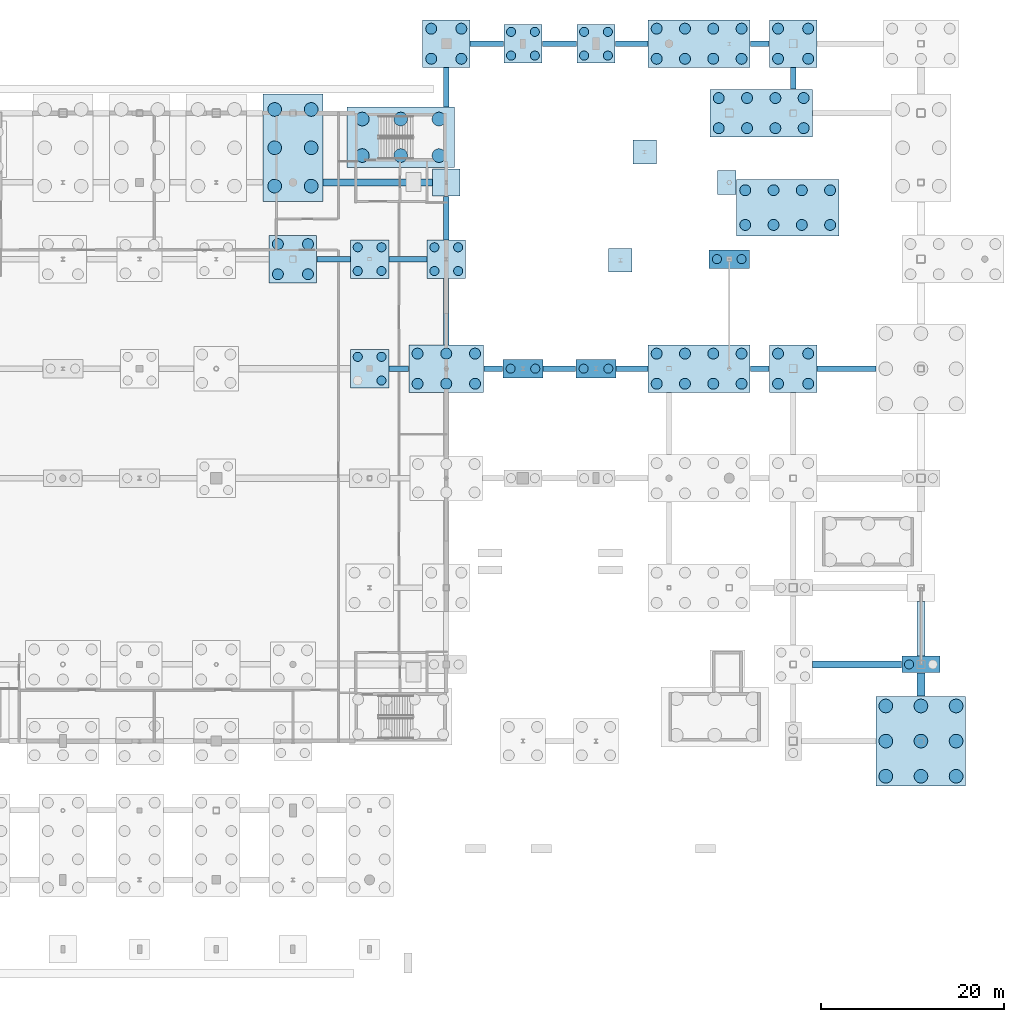
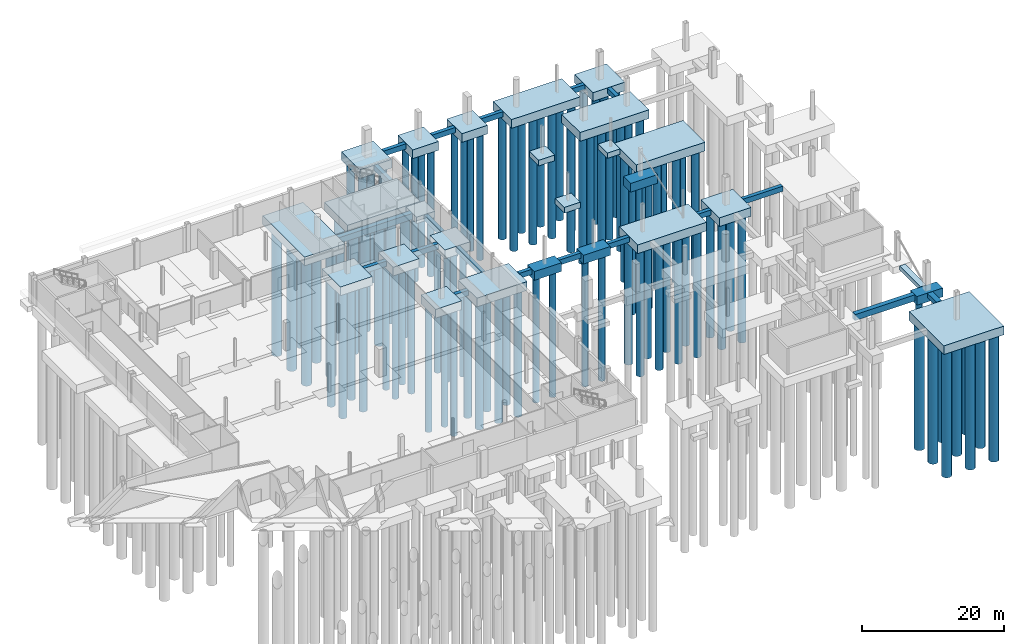
# One storey, part 4 of 34: 101 piles, 45 footings.
"""IFC4 building model written with IfcOpenShell, lengths in metres."""

from ifc_helpers import new_model, si_unit, direction, frame, origin, origin_2d, place, context, subcontext, project, spatial, rectangle, circle, extrude, material, material_profile, profile_set, type_object, element, save


model = new_model("IFC4")

# Units and contexts
model_context = context("Model", 3, precision=1e-05, world=origin(), true_north=direction((0.0, 1.0)))
body_context = subcontext(model_context, "Body", "Model", "MODEL_VIEW")
ifc_project = project(units=[si_unit("LENGTHUNIT", "METRE"), si_unit("AREAUNIT", "SQUARE_METRE"), si_unit("VOLUMEUNIT", "CUBIC_METRE"), si_unit("PLANEANGLEUNIT", "RADIAN"), si_unit("MASSUNIT", "GRAM", prefix="KILO")], contexts=[model_context])

# Site, building, storey
site_placement = place(None, origin())
site = spatial("IfcSite", under=ifc_project, at=site_placement, CompositionType="ELEMENT")
building_placement = place(site_placement, origin())
building = spatial("IfcBuilding", under=site, at=building_placement, Name="Larkvane Passage Sports Hall", CompositionType="ELEMENT")
storey_placement = place(building_placement, frame((0.0, 0.0, -4.800048828125)))
storey = spatial("IfcBuildingStorey", under=building, at=storey_placement, Name="B01", CompositionType="ELEMENT", Elevation=-4.800048828125)

# Footings
ifc_material = material(Name="Concrete C40/50", Category="concrete")
footing_type_1 = type_object("IfcFootingType", Name="CAP-2P-320x180", PredefinedType="PILE_CAP", material=ifc_material)
footing_1_placement = place(storey_placement, frame((145.60009765625, 31.199951171875, -1.5), z_axis=(0.0, 0.0, 1.0), x_axis=(1.0, 0.0, 0.0)))
element("IfcFooting", 1, at=footing_1_placement, inside=storey, type_object=footing_type_1, Name="Pile cap FDN5-CAP-19-E", PredefinedType="PILE_CAP", context=body_context, shape_type="SweptSolid", body=[
    extrude(rectangle(XDim=4.199951171875, YDim=1.800048828125, at=origin_2d()), origin(), (0.0, 0.0, 1.0), 1.5),
])
footing_type_2 = type_object("IfcFootingType", Name="CAP-2P-360x200", PredefinedType="PILE_CAP", material=ifc_material)
for number, where, z_axis, x_axis, name in (
    (2, (102.0, 63.60009765625, -1.5), (0.0, 0.0, 1.0), (1.0, 0.0, 0.0), "Pile cap FDN5-CAP-14-H"),
    (3, (110.0, 63.60009765625, -1.5), (0.0, 0.0, 1.0), (1.0, 0.0, 0.0), "Pile cap FDN5-CAP-15-H"),
    (4, (124.60009765625, 75.60009765625, -1.5), (0.0, 0.0, 1.0), (1.0, 0.0, 0.0), "Pile cap FDN5-CAP-17-J"),
):
    element("IfcFooting", number, at=place(storey_placement, frame(where, z_axis=z_axis, x_axis=x_axis)), inside=storey, type_object=footing_type_2, Name=name, PredefinedType="PILE_CAP", context=body_context, shape_type="SweptSolid", body=[
        extrude(rectangle(XDim=4.39990234375, YDim=2.0, at=origin_2d()), origin(), (0.0, 0.0, 1.0), 1.5),
    ])
footing_type_3 = type_object("IfcFootingType", Name="CAP-4P-360x360", PredefinedType="PILE_CAP", material=ifc_material)
for number, where, z_axis, x_axis, name in (
    (5, (85.199951171875, 63.60009765625, -1.5), (0.0, 0.0, 1.0), (1.0, 0.0, 0.0), "Pile cap FDN5-CAP-12-H"),
    (6, (85.199951171875, 75.60009765625, -1.5), (0.0, 0.0, 1.0), (1.0, 0.0, 0.0), "Pile cap FDN5-CAP-12-J"),
    (7, (93.60009765625, 75.60009765625, -1.5), (0.0, 0.0, 1.0), (1.0, 0.0, 0.0), "Pile cap FDN5-CAP-13-J"),
    (8, (102.0, 99.199951171875, -1.5), (0.0, 0.0, 1.0), (1.0, 0.0, 0.0), "Pile cap FDN5-CAP-14-M"),
    (9, (110.0, 99.199951171875, -1.5), (0.0, 0.0, 1.0), (1.0, 0.0, 0.0), "Pile cap FDN5-CAP-15-M"),
):
    element("IfcFooting", number, at=place(storey_placement, frame(where, z_axis=z_axis, x_axis=x_axis)), inside=storey, type_object=footing_type_3, Name=name, PredefinedType="PILE_CAP", context=body_context, shape_type="SweptSolid", body=[
        extrude(rectangle(XDim=4.199951171875, YDim=4.199951171875, at=origin_2d()), origin(), (0.0, 0.0, 1.0), 1.5),
    ])
footing_type_4 = type_object("IfcFootingType", Name="CAP-4P-440x440", PredefinedType="PILE_CAP", material=ifc_material)
for number, where, z_axis, x_axis, name in (
    (10, (76.800048828125, 75.60009765625, -1.5), (0.0, 0.0, 1.0), (1.0, 0.0, 0.0), "Pile cap FDN5-CAP-11-J"),
    (11, (93.60009765625, 99.199951171875, -1.5), (0.0, 0.0, 1.0), (1.0, 0.0, 0.0), "Pile cap FDN5-CAP-13-M"),
    (12, (131.60009765625, 63.60009765625, -1.5), (0.0, 0.0, 1.0), (1.0, 0.0, 0.0), "Pile cap FDN5-CAP-18-H"),
    (13, (131.60009765625, 99.199951171875, -1.5), (0.0, 0.0, 1.0), (1.0, 0.0, 0.0), "Pile cap FDN5-CAP-18-M"),
):
    element("IfcFooting", number, at=place(storey_placement, frame(where, z_axis=z_axis, x_axis=x_axis)), inside=storey, type_object=footing_type_4, Name=name, PredefinedType="PILE_CAP", context=body_context, shape_type="SweptSolid", body=[
        extrude(rectangle(XDim=5.199951171875, YDim=5.199951171875, at=origin_2d()), origin(), (0.0, 0.0, 1.0), 1.5),
    ])
footing_type_5 = type_object("IfcFootingType", Name="CAP-6P-640x440", PredefinedType="PILE_CAP", material=ifc_material)
footing_2_placement = place(storey_placement, frame((93.60009765625, 63.60009765625, -1.5), z_axis=(0.0, 0.0, 1.0), x_axis=(1.0, 0.0, 0.0)))
element("IfcFooting", 14, at=footing_2_placement, inside=storey, type_object=footing_type_5, Name="Pile cap FDN5-CAP-13-H", PredefinedType="PILE_CAP", context=body_context, shape_type="SweptSolid", body=[
    extrude(rectangle(XDim=8.199951171875, YDim=5.199951171875, at=origin_2d()), origin(), (0.0, 0.0, 1.0), 1.5),
])
footing_type_6 = type_object("IfcFootingType", Name="CAP-9P-720x720", PredefinedType="PILE_CAP", material=ifc_material)
footing_3_placement = place(storey_placement, frame((145.60009765625, 22.800048828125, -1.5), z_axis=(0.0, 0.0, 1.0), x_axis=(1.0, 0.0, 0.0)))
element("IfcFooting", 15, at=footing_3_placement, inside=storey, type_object=footing_type_6, Name="Pile cap FDN5-CAP-19-D", PredefinedType="PILE_CAP", context=body_context, shape_type="SweptSolid", body=[
    extrude(rectangle(XDim=9.800048828125, YDim=9.800048828125, at=origin_2d()), origin(), (0.0, 0.0, 1.0), 1.5),
])
footing_type_7 = type_object("IfcFootingType", Name="CAP-COMB-X-1120x520", PredefinedType="PILE_CAP", material=ifc_material)
for number, where, z_axis, x_axis, name in (
    (16, (121.300048828125, 63.60009765625, -1.5), (0.0, 0.0, 1.0), (1.0, 0.0, 0.0), "Pile cap FDN5-CAP-1617-H"),
    (17, (121.300048828125, 99.199951171875, -1.5), (0.0, 0.0, 1.0), (1.0, 0.0, 0.0), "Pile cap FDN5-CAP-1617-M"),
    (18, (128.10009765625, 91.60009765625, -1.5), (0.0, 0.0, 1.0), (1.0, 0.0, 0.0), "Pile cap FDN5-CAP-1718-L"),
):
    element("IfcFooting", number, at=place(storey_placement, frame(where, z_axis=z_axis, x_axis=x_axis)), inside=storey, type_object=footing_type_7, Name=name, PredefinedType="PILE_CAP", context=body_context, shape_type="SweptSolid", body=[
        extrude(rectangle(XDim=11.199951171875, YDim=5.199951171875, at=origin_2d()), origin(), (0.0, 0.0, 1.0), 1.5),
    ])
footing_type_8 = type_object("IfcFootingType", Name="CAP-COMB-Y-660x1180", PredefinedType="PILE_CAP", material=ifc_material)
footing_4_placement = place(storey_placement, frame((76.800048828125, 87.800048828125, -1.5), z_axis=(0.0, 0.0, 1.0), x_axis=(1.0, 0.0, 0.0)))
element("IfcFooting", 19, at=footing_4_placement, inside=storey, type_object=footing_type_8, Name="Pile cap FDN5-CAP-11-KL", PredefinedType="PILE_CAP", context=body_context, shape_type="SweptSolid", body=[
    extrude(rectangle(XDim=6.60009765625, YDim=11.800048828125, at=origin_2d()), origin(), (0.0, 0.0, 1.0), 1.5),
])
footing_type_9 = type_object("IfcFootingType", Name="CAP-CORE-1120x620", PredefinedType="PILE_CAP", material=ifc_material)
footing_5_placement = place(storey_placement, frame((131.0, 81.25, -1.5), z_axis=(0.0, 0.0, 1.0), x_axis=(1.0, 0.0, 0.0)))
element("IfcFooting", 20, at=footing_5_placement, inside=storey, type_object=footing_type_9, Name="Pile cap FDN5-CORE-C6", PredefinedType="PILE_CAP", context=body_context, shape_type="SweptSolid", body=[
    extrude(rectangle(XDim=11.199951171875, YDim=6.199951171875, at=origin_2d()), origin(), (0.0, 0.0, 1.0), 1.5),
])
footing_type_10 = type_object("IfcFootingType", Name="CAP-CORE-1160x660", PredefinedType="PILE_CAP", material=ifc_material)
footing_6_placement = place(storey_placement, frame((88.60009765625, 88.949951171875, -1.5), z_axis=(0.0, 0.0, 1.0), x_axis=(1.0, 0.0, 0.0)))
element("IfcFooting", 21, at=footing_6_placement, inside=storey, type_object=footing_type_10, Name="Pile cap FDN5-CORE-C3", PredefinedType="PILE_CAP", context=body_context, shape_type="SweptSolid", body=[
    extrude(rectangle(XDim=11.800048828125, YDim=6.60009765625, at=origin_2d()), origin(), (0.0, 0.0, 1.0), 1.5),
])
footing_type_11 = type_object("IfcFootingType", Name="FBM-600x900", PredefinedType="FOOTING_BEAM", material=ifc_material)
footing_7_placement = place(storey_placement, frame((88.39990234375, 63.60009765625, -0.89990234375), z_axis=(0.0, 0.0, 1.0), x_axis=(1.0, 0.0, 0.0)))
element("IfcFooting", 22, at=footing_7_placement, inside=storey, type_object=footing_type_11, Name="Ground tie beam H-044", PredefinedType="FOOTING_BEAM", context=body_context, shape_type="SweptSolid", body=[
    extrude(rectangle(XDim=2.159912109375, YDim=0.60009765625, at=origin_2d()), origin(), (0.0, 0.0, 1.0), 0.89990234375),
])
footing_8_placement = place(storey_placement, frame((98.75, 63.60009765625, -0.89990234375), z_axis=(0.0, 0.0, 1.0), x_axis=(1.0, 0.0, 0.0)))
element("IfcFooting", 23, at=footing_8_placement, inside=storey, type_object=footing_type_11, Name="Ground tie beam H-045", PredefinedType="FOOTING_BEAM", context=body_context, shape_type="SweptSolid", body=[
    extrude(rectangle(XDim=2.06005859375, YDim=0.60009765625, at=origin_2d()), origin(), (0.0, 0.0, 1.0), 0.89990234375),
])
footing_9_placement = place(storey_placement, frame((106.0, 63.60009765625, -0.89990234375), z_axis=(0.0, 0.0, 1.0), x_axis=(1.0, 0.0, 0.0)))
element("IfcFooting", 24, at=footing_9_placement, inside=storey, type_object=footing_type_11, Name="Ground tie beam H-046", PredefinedType="FOOTING_BEAM", context=body_context, shape_type="SweptSolid", body=[
    extrude(rectangle(XDim=3.56005859375, YDim=0.60009765625, at=origin_2d()), origin(), (0.0, 0.0, 1.0), 0.89990234375),
])
footing_10_placement = place(storey_placement, frame((113.949951171875, 63.60009765625, -0.89990234375), z_axis=(0.0, 0.0, 1.0), x_axis=(1.0, 0.0, 0.0)))
element("IfcFooting", 25, at=footing_10_placement, inside=storey, type_object=footing_type_11, Name="Ground tie beam H-047", PredefinedType="FOOTING_BEAM", context=body_context, shape_type="SweptSolid", body=[
    extrude(rectangle(XDim=3.4599609375, YDim=0.60009765625, at=origin_2d()), origin(), (0.0, 0.0, 1.0), 0.89990234375),
])
footing_11_placement = place(storey_placement, frame((127.949951171875, 63.60009765625, -0.89990234375), z_axis=(0.0, 0.0, 1.0), x_axis=(1.0, 0.0, 0.0)))
element("IfcFooting", 26, at=footing_11_placement, inside=storey, type_object=footing_type_11, Name="Ground tie beam H-048", PredefinedType="FOOTING_BEAM", context=body_context, shape_type="SweptSolid", body=[
    extrude(rectangle(XDim=2.06005859375, YDim=0.60009765625, at=origin_2d()), origin(), (0.0, 0.0, 1.0), 0.89990234375),
])
footing_12_placement = place(storey_placement, frame((137.449951171875, 63.60009765625, -0.89990234375), z_axis=(0.0, 0.0, 1.0), x_axis=(1.0, 0.0, 0.0)))
element("IfcFooting", 27, at=footing_12_placement, inside=storey, type_object=footing_type_11, Name="Ground tie beam H-049", PredefinedType="FOOTING_BEAM", context=body_context, shape_type="SweptSolid", body=[
    extrude(rectangle(XDim=6.4599609375, YDim=0.60009765625, at=origin_2d()), origin(), (0.0, 0.0, 1.0), 0.89990234375),
])
footing_13_placement = place(storey_placement, frame((81.25, 75.60009765625, -0.89990234375), z_axis=(0.0, 0.0, 1.0), x_axis=(1.0, 0.0, 0.0)))
element("IfcFooting", 28, at=footing_13_placement, inside=storey, type_object=footing_type_11, Name="Ground tie beam J-055", PredefinedType="FOOTING_BEAM", context=body_context, shape_type="SweptSolid", body=[
    extrude(rectangle(XDim=3.659912109375, YDim=0.60009765625, at=origin_2d()), origin(), (0.0, 0.0, 1.0), 0.89990234375),
])
footing_14_placement = place(storey_placement, frame((89.39990234375, 75.60009765625, -0.89990234375), z_axis=(0.0, 0.0, 1.0), x_axis=(1.0, 0.0, 0.0)))
element("IfcFooting", 29, at=footing_14_placement, inside=storey, type_object=footing_type_11, Name="Ground tie beam J-056", PredefinedType="FOOTING_BEAM", context=body_context, shape_type="SweptSolid", body=[
    extrude(rectangle(XDim=4.159912109375, YDim=0.60009765625, at=origin_2d()), origin(), (0.0, 0.0, 1.0), 0.89990234375),
])
footing_15_placement = place(storey_placement, frame((98.050048828125, 99.199951171875, -0.89990234375), z_axis=(0.0, 0.0, 1.0), x_axis=(1.0, 0.0, 0.0)))
element("IfcFooting", 30, at=footing_15_placement, inside=storey, type_object=footing_type_11, Name="Ground tie beam M-068", PredefinedType="FOOTING_BEAM", context=body_context, shape_type="SweptSolid", body=[
    extrude(rectangle(XDim=3.659912109375, YDim=0.60009765625, at=origin_2d()), origin(), (0.0, 0.0, 1.0), 0.89990234375),
])
footing_16_placement = place(storey_placement, frame((106.0, 99.199951171875, -0.89990234375), z_axis=(0.0, 0.0, 1.0), x_axis=(1.0, 0.0, 0.0)))
element("IfcFooting", 31, at=footing_16_placement, inside=storey, type_object=footing_type_11, Name="Ground tie beam M-069", PredefinedType="FOOTING_BEAM", context=body_context, shape_type="SweptSolid", body=[
    extrude(rectangle(XDim=3.760009765625, YDim=0.60009765625, at=origin_2d()), origin(), (0.0, 0.0, 1.0), 0.89990234375),
])
footing_17_placement = place(storey_placement, frame((113.89990234375, 99.199951171875, -0.89990234375), z_axis=(0.0, 0.0, 1.0), x_axis=(1.0, 0.0, 0.0)))
element("IfcFooting", 32, at=footing_17_placement, inside=storey, type_object=footing_type_11, Name="Ground tie beam M-070", PredefinedType="FOOTING_BEAM", context=body_context, shape_type="SweptSolid", body=[
    extrude(rectangle(XDim=3.56005859375, YDim=0.60009765625, at=origin_2d()), origin(), (0.0, 0.0, 1.0), 0.89990234375),
])
footing_18_placement = place(storey_placement, frame((127.949951171875, 99.199951171875, -0.89990234375), z_axis=(0.0, 0.0, 1.0), x_axis=(1.0, 0.0, 0.0)))
element("IfcFooting", 33, at=footing_18_placement, inside=storey, type_object=footing_type_11, Name="Ground tie beam M-071", PredefinedType="FOOTING_BEAM", context=body_context, shape_type="SweptSolid", body=[
    extrude(rectangle(XDim=2.06005859375, YDim=0.60009765625, at=origin_2d()), origin(), (0.0, 0.0, 1.0), 0.89990234375),
])
footing_19_placement = place(storey_placement, frame((93.60009765625, 69.85009765625, -0.89990234375), z_axis=(0.0, 0.0, 1.0), x_axis=(1.0, 0.0, 0.0)))
element("IfcFooting", 34, at=footing_19_placement, inside=storey, type_object=footing_type_11, Name="Foundation tie footing 13-080", PredefinedType="FOOTING_BEAM", context=body_context, shape_type="SweptSolid", body=[
    extrude(rectangle(XDim=0.60009765625, YDim=7.260009765625, at=origin_2d()), origin(), (0.0, 0.0, 1.0), 0.89990234375),
])
footing_20_placement = place(storey_placement, frame((93.60009765625, 80.10009765625, -0.89990234375), z_axis=(0.0, 0.0, 1.0), x_axis=(1.0, 0.0, 0.0)))
element("IfcFooting", 35, at=footing_20_placement, inside=storey, type_object=footing_type_11, Name="Foundation tie footing 13-081", PredefinedType="FOOTING_BEAM", context=body_context, shape_type="SweptSolid", body=[
    extrude(rectangle(XDim=0.60009765625, YDim=4.760009765625, at=origin_2d()), origin(), (0.0, 0.0, 1.0), 0.89990234375),
])
footing_21_placement = place(storey_placement, frame((93.60009765625, 94.425048828125, -0.89990234375), z_axis=(0.0, 0.0, 1.0), x_axis=(1.0, 0.0, 0.0)))
element("IfcFooting", 36, at=footing_21_placement, inside=storey, type_object=footing_type_11, Name="Foundation tie footing 13-082", PredefinedType="FOOTING_BEAM", context=body_context, shape_type="SweptSolid", body=[
    extrude(rectangle(XDim=0.60009765625, YDim=4.31005859375, at=origin_2d()), origin(), (0.0, 0.0, 1.0), 0.89990234375),
])
footing_22_placement = place(storey_placement, frame((131.60009765625, 95.39990234375, -0.89990234375), z_axis=(0.0, 0.0, 1.0), x_axis=(1.0, 0.0, 0.0)))
element("IfcFooting", 37, at=footing_22_placement, inside=storey, type_object=footing_type_11, Name="Foundation tie footing 18-089", PredefinedType="FOOTING_BEAM", context=body_context, shape_type="SweptSolid", body=[
    extrude(rectangle(XDim=0.60009765625, YDim=2.360107421875, at=origin_2d()), origin(), (0.0, 0.0, 1.0), 0.89990234375),
])
footing_type_12 = type_object("IfcFootingType", Name="FBM-750x1050", PredefinedType="FOOTING_BEAM", material=ifc_material)
footing_23_placement = place(storey_placement, frame((138.60009765625, 31.199951171875, -1.0498046875), z_axis=(0.0, 0.0, 1.0), x_axis=(1.0, 0.0, 0.0)))
element("IfcFooting", 38, at=footing_23_placement, inside=storey, type_object=footing_type_12, Name="Ground tie beam E-024", PredefinedType="FOOTING_BEAM", context=body_context, shape_type="SweptSolid", body=[
    extrude(rectangle(XDim=9.760009765625, YDim=0.75, at=origin_2d()), origin(), (0.0, 0.0, 1.0), 1.050048828125),
])
footing_24_placement = place(storey_placement, frame((86.10009765625, 84.0, -1.0498046875), z_axis=(0.0, 0.0, 1.0), x_axis=(1.0, 0.0, 0.0)))
element("IfcFooting", 39, at=footing_24_placement, inside=storey, type_object=footing_type_12, Name="Ground tie beam K-061", PredefinedType="FOOTING_BEAM", context=body_context, shape_type="SweptSolid", body=[
    extrude(rectangle(XDim=11.9599609375, YDim=0.75, at=origin_2d()), origin(), (0.0, 0.0, 1.0), 1.050048828125),
])
footing_type_13 = type_object("IfcFootingType", Name="PAD-220x220x90", PredefinedType="PAD_FOOTING", material=ifc_material)
footing_25_placement = place(storey_placement, frame((124.330078125, 84.0, -0.89990234375), z_axis=(0.0, 0.0, 1.0), x_axis=(1.0, 0.0, 0.0)))
element("IfcFooting", 40, at=footing_25_placement, inside=storey, type_object=footing_type_13, Name="Tailored pad footing FDN5-CAP-17-K", PredefinedType="PAD_FOOTING", context=body_context, shape_type="SweptSolid", body=[
    extrude(rectangle(XDim=2.06005859375, YDim=2.60009765625, at=origin_2d()), origin(), (0.0, 0.0, 1.0), 0.89990234375),
])
footing_type_14 = type_object("IfcFootingType", Name="PAD-260x260x100", PredefinedType="PAD_FOOTING", material=ifc_material)
for number, where, z_axis, x_axis, name in (
    (41, (112.669921875, 75.469970703125, -1.0), (0.0, 0.0, 1.0), (1.0, 0.0, 0.0), "Climbing hall east wall pad footing V3E-1"),
    (42, (115.330078125, 87.330078125, -1.0), (0.0, 0.0, 1.0), (1.0, 0.0, 0.0), "Climbing hall east wall pad footing V3E-2"),
):
    element("IfcFooting", number, at=place(storey_placement, frame(where, z_axis=z_axis, x_axis=x_axis)), inside=storey, type_object=footing_type_14, Name=name, PredefinedType="PAD_FOOTING", context=body_context, shape_type="SweptSolid", body=[
        extrude(rectangle(XDim=2.60009765625, YDim=2.60009765625, at=origin_2d()), origin(), (0.0, 0.0, 1.0), 1.0),
    ])
footing_type_15 = type_object("IfcFootingType", Name="PAD-300x300x110", PredefinedType="PAD_FOOTING", material=ifc_material)
footing_26_placement = place(storey_placement, frame((93.60009765625, 84.0, -1.10009765625), z_axis=(0.0, 0.0, 1.0), x_axis=(1.0, 0.0, 0.0)))
element("IfcFooting", 43, at=footing_26_placement, inside=storey, type_object=footing_type_15, Name="Column pad footing FDN5-CAP-13-K", PredefinedType="PAD_FOOTING", context=body_context, shape_type="SweptSolid", body=[
    extrude(rectangle(XDim=3.0, YDim=3.0, at=origin_2d()), origin(), (0.0, 0.0, 1.0), 1.10009765625),
])

# Piles
ifc_material_profile_1 = material_profile(ifc_material, circle(Radius=0.5, at=origin_2d()), Name="PILE-D1000")
ifc_profile_set_1 = profile_set([ifc_material_profile_1], Name="Concrete C40/50")
pile_type_1 = type_object("IfcPileType", Name="PIL-BORED-D1000", PredefinedType="BORED", material=ifc_profile_set_1)
for number, where, z_axis, x_axis, name in (
    (44, (86.5, 62.300048828125, -1.349853515625), (0.0, 0.0, -1.0), (1.0, 0.0, 0.0), "Bored pile FDN5-CAP-12-H-P02"),
    (45, (83.89990234375, 64.89990234375, -1.349853515625), (0.0, 0.0, -1.0), (1.0, 0.0, 0.0), "Bored pile FDN5-CAP-12-H-P03"),
    (46, (86.5, 64.89990234375, -1.349853515625), (0.0, 0.0, -1.0), (1.0, 0.0, 0.0), "Bored pile FDN5-CAP-12-H-P04"),
    (47, (83.89990234375, 74.300048828125, -1.349853515625), (0.0, 0.0, -1.0), (1.0, 0.0, 0.0), "Bored pile FDN5-CAP-12-J-P01"),
    (48, (86.5, 74.300048828125, -1.349853515625), (0.0, 0.0, -1.0), (1.0, 0.0, 0.0), "Bored pile FDN5-CAP-12-J-P02"),
    (49, (83.89990234375, 76.89990234375, -1.349853515625), (0.0, 0.0, -1.0), (1.0, 0.0, 0.0), "Bored pile FDN5-CAP-12-J-P03"),
    (50, (86.5, 76.89990234375, -1.349853515625), (0.0, 0.0, -1.0), (1.0, 0.0, 0.0), "Bored pile FDN5-CAP-12-J-P04"),
    (51, (92.300048828125, 74.300048828125, -1.349853515625), (0.0, 0.0, -1.0), (1.0, 0.0, 0.0), "Bored pile FDN5-CAP-13-J-P01"),
    (52, (94.89990234375, 74.300048828125, -1.349853515625), (0.0, 0.0, -1.0), (1.0, 0.0, 0.0), "Bored pile FDN5-CAP-13-J-P02"),
    (53, (92.300048828125, 76.89990234375, -1.349853515625), (0.0, 0.0, -1.0), (1.0, 0.0, 0.0), "Bored pile FDN5-CAP-13-J-P03"),
    (54, (94.89990234375, 76.89990234375, -1.349853515625), (0.0, 0.0, -1.0), (1.0, 0.0, 0.0), "Bored pile FDN5-CAP-13-J-P04"),
    (55, (100.64990234375, 63.60009765625, -1.349853515625), (0.0, 0.0, -1.0), (1.0, 0.0, 0.0), "Bored pile FDN5-CAP-14-H-P01"),
    (56, (103.35009765625, 63.60009765625, -1.349853515625), (0.0, 0.0, -1.0), (1.0, 0.0, 0.0), "Bored pile FDN5-CAP-14-H-P02"),
    (57, (100.699951171875, 97.89990234375, -1.349853515625), (0.0, 0.0, -1.0), (1.0, 0.0, 0.0), "Bored pile FDN5-CAP-14-M-P01"),
    (58, (103.300048828125, 97.89990234375, -1.349853515625), (0.0, 0.0, -1.0), (1.0, 0.0, 0.0), "Bored pile FDN5-CAP-14-M-P02"),
    (59, (100.699951171875, 100.5, -1.349853515625), (0.0, 0.0, -1.0), (1.0, 0.0, 0.0), "Bored pile FDN5-CAP-14-M-P03"),
    (60, (103.300048828125, 100.5, -1.349853515625), (0.0, 0.0, -1.0), (1.0, 0.0, 0.0), "Bored pile FDN5-CAP-14-M-P04"),
    (61, (108.64990234375, 63.60009765625, -1.349853515625), (0.0, 0.0, -1.0), (1.0, 0.0, 0.0), "Bored pile FDN5-CAP-15-H-P01"),
    (62, (111.35009765625, 63.60009765625, -1.349853515625), (0.0, 0.0, -1.0), (1.0, 0.0, 0.0), "Bored pile FDN5-CAP-15-H-P02"),
    (63, (108.699951171875, 97.89990234375, -1.349853515625), (0.0, 0.0, -1.0), (1.0, 0.0, 0.0), "Bored pile FDN5-CAP-15-M-P01"),
    (64, (111.300048828125, 97.89990234375, -1.349853515625), (0.0, 0.0, -1.0), (1.0, 0.0, 0.0), "Bored pile FDN5-CAP-15-M-P02"),
    (65, (108.699951171875, 100.5, -1.349853515625), (0.0, 0.0, -1.0), (1.0, 0.0, 0.0), "Bored pile FDN5-CAP-15-M-P03"),
    (66, (111.300048828125, 100.5, -1.349853515625), (0.0, 0.0, -1.0), (1.0, 0.0, 0.0), "Bored pile FDN5-CAP-15-M-P04"),
    (67, (123.25, 75.60009765625, -1.349853515625), (0.0, 0.0, -1.0), (1.0, 0.0, 0.0), "Bored pile FDN5-CAP-17-J-P01"),
    (68, (125.949951171875, 75.60009765625, -1.349853515625), (0.0, 0.0, -1.0), (1.0, 0.0, 0.0), "Bored pile FDN5-CAP-17-J-P02"),
    (69, (144.300048828125, 31.199951171875, -1.349853515625), (0.0, 0.0, -1.0), (1.0, 0.0, 0.0), "Bored pile FDN5-CAP-19-E-P01"),
):
    element("IfcPile", number, at=place(storey_placement, frame(where, z_axis=z_axis, x_axis=x_axis)), inside=storey, type_object=pile_type_1, Name=name, PredefinedType="BORED", context=body_context, shape_type="SweptSolid", body=[
        extrude(circle(Radius=0.5, at=origin_2d()), origin(), (0.0, 0.0, 1.0), 21.85009765625),
    ])
ifc_material_profile_2 = material_profile(ifc_material, circle(Radius=0.60009765625, at=origin_2d()), Name="PILE-D1200")
ifc_profile_set_2 = profile_set([ifc_material_profile_2], Name="Concrete C40/50")
pile_type_2 = type_object("IfcPileType", Name="PIL-BORED-D1200", PredefinedType="BORED", material=ifc_profile_set_2)
for number, where, z_axis, x_axis, name in (
    (70, (126.35009765625, 79.35009765625, -1.349853515625), (0.0, 0.0, -1.0), (1.0, 0.0, 0.0), "Bored pile FDN5-CORE-C6-P01"),
    (71, (126.35009765625, 83.14990234375, -1.349853515625), (0.0, 0.0, -1.0), (1.0, 0.0, 0.0), "Bored pile FDN5-CORE-C6-P02"),
    (72, (129.449951171875, 79.35009765625, -1.349853515625), (0.0, 0.0, -1.0), (1.0, 0.0, 0.0), "Bored pile FDN5-CORE-C6-P03"),
    (73, (129.449951171875, 83.14990234375, -1.349853515625), (0.0, 0.0, -1.0), (1.0, 0.0, 0.0), "Bored pile FDN5-CORE-C6-P04"),
    (74, (132.550048828125, 79.35009765625, -1.349853515625), (0.0, 0.0, -1.0), (1.0, 0.0, 0.0), "Bored pile FDN5-CORE-C6-P05"),
    (75, (132.550048828125, 83.14990234375, -1.349853515625), (0.0, 0.0, -1.0), (1.0, 0.0, 0.0), "Bored pile FDN5-CORE-C6-P06"),
    (76, (135.64990234375, 79.35009765625, -1.349853515625), (0.0, 0.0, -1.0), (1.0, 0.0, 0.0), "Bored pile FDN5-CORE-C6-P07"),
    (77, (135.64990234375, 83.14990234375, -1.349853515625), (0.0, 0.0, -1.0), (1.0, 0.0, 0.0), "Bored pile FDN5-CORE-C6-P08"),
    (78, (116.64990234375, 61.949951171875, -1.349853515625), (0.0, 0.0, -1.0), (1.0, 0.0, 0.0), "Bored pile FDN5-CAP-1617-H-P01"),
    (79, (116.64990234375, 65.25, -1.349853515625), (0.0, 0.0, -1.0), (1.0, 0.0, 0.0), "Bored pile FDN5-CAP-1617-H-P02"),
    (80, (119.75, 61.949951171875, -1.349853515625), (0.0, 0.0, -1.0), (1.0, 0.0, 0.0), "Bored pile FDN5-CAP-1617-H-P03"),
    (81, (119.75, 65.25, -1.349853515625), (0.0, 0.0, -1.0), (1.0, 0.0, 0.0), "Bored pile FDN5-CAP-1617-H-P04"),
    (82, (122.85009765625, 61.949951171875, -1.349853515625), (0.0, 0.0, -1.0), (1.0, 0.0, 0.0), "Bored pile FDN5-CAP-1617-H-P05"),
    (83, (122.85009765625, 65.25, -1.349853515625), (0.0, 0.0, -1.0), (1.0, 0.0, 0.0), "Bored pile FDN5-CAP-1617-H-P06"),
    (84, (125.949951171875, 61.949951171875, -1.349853515625), (0.0, 0.0, -1.0), (1.0, 0.0, 0.0), "Bored pile FDN5-CAP-1617-H-P07"),
    (85, (125.949951171875, 65.25, -1.349853515625), (0.0, 0.0, -1.0), (1.0, 0.0, 0.0), "Bored pile FDN5-CAP-1617-H-P08"),
    (86, (116.64990234375, 97.550048828125, -1.349853515625), (0.0, 0.0, -1.0), (1.0, 0.0, 0.0), "Bored pile FDN5-CAP-1617-M-P01"),
    (87, (116.64990234375, 100.85009765625, -1.349853515625), (0.0, 0.0, -1.0), (1.0, 0.0, 0.0), "Bored pile FDN5-CAP-1617-M-P02"),
    (88, (119.75, 97.550048828125, -1.349853515625), (0.0, 0.0, -1.0), (1.0, 0.0, 0.0), "Bored pile FDN5-CAP-1617-M-P03"),
    (89, (119.75, 100.85009765625, -1.349853515625), (0.0, 0.0, -1.0), (1.0, 0.0, 0.0), "Bored pile FDN5-CAP-1617-M-P04"),
    (90, (122.85009765625, 97.550048828125, -1.349853515625), (0.0, 0.0, -1.0), (1.0, 0.0, 0.0), "Bored pile FDN5-CAP-1617-M-P05"),
    (91, (122.85009765625, 100.85009765625, -1.349853515625), (0.0, 0.0, -1.0), (1.0, 0.0, 0.0), "Bored pile FDN5-CAP-1617-M-P06"),
    (92, (125.949951171875, 97.550048828125, -1.349853515625), (0.0, 0.0, -1.0), (1.0, 0.0, 0.0), "Bored pile FDN5-CAP-1617-M-P07"),
    (93, (125.949951171875, 100.85009765625, -1.349853515625), (0.0, 0.0, -1.0), (1.0, 0.0, 0.0), "Bored pile FDN5-CAP-1617-M-P08"),
    (94, (123.449951171875, 89.949951171875, -1.349853515625), (0.0, 0.0, -1.0), (1.0, 0.0, 0.0), "Bored pile FDN5-CAP-1718-L-P01"),
    (95, (123.449951171875, 93.25, -1.349853515625), (0.0, 0.0, -1.0), (1.0, 0.0, 0.0), "Bored pile FDN5-CAP-1718-L-P02"),
    (96, (126.550048828125, 89.949951171875, -1.349853515625), (0.0, 0.0, -1.0), (1.0, 0.0, 0.0), "Bored pile FDN5-CAP-1718-L-P03"),
    (97, (126.550048828125, 93.25, -1.349853515625), (0.0, 0.0, -1.0), (1.0, 0.0, 0.0), "Bored pile FDN5-CAP-1718-L-P04"),
    (98, (129.64990234375, 89.949951171875, -1.349853515625), (0.0, 0.0, -1.0), (1.0, 0.0, 0.0), "Bored pile FDN5-CAP-1718-L-P05"),
    (99, (129.64990234375, 93.25, -1.349853515625), (0.0, 0.0, -1.0), (1.0, 0.0, 0.0), "Bored pile FDN5-CAP-1718-L-P06"),
    (100, (132.75, 89.949951171875, -1.349853515625), (0.0, 0.0, -1.0), (1.0, 0.0, 0.0), "Bored pile FDN5-CAP-1718-L-P07"),
    (101, (132.75, 93.25, -1.349853515625), (0.0, 0.0, -1.0), (1.0, 0.0, 0.0), "Bored pile FDN5-CAP-1718-L-P08"),
    (102, (75.14990234375, 73.949951171875, -1.349853515625), (0.0, 0.0, -1.0), (1.0, 0.0, 0.0), "Bored pile FDN5-CAP-11-J-P01"),
    (103, (78.449951171875, 73.949951171875, -1.349853515625), (0.0, 0.0, -1.0), (1.0, 0.0, 0.0), "Bored pile FDN5-CAP-11-J-P02"),
    (104, (75.14990234375, 77.25, -1.349853515625), (0.0, 0.0, -1.0), (1.0, 0.0, 0.0), "Bored pile FDN5-CAP-11-J-P03"),
    (105, (78.449951171875, 77.25, -1.349853515625), (0.0, 0.0, -1.0), (1.0, 0.0, 0.0), "Bored pile FDN5-CAP-11-J-P04"),
    (106, (90.449951171875, 61.949951171875, -1.349853515625), (0.0, 0.0, -1.0), (1.0, 0.0, 0.0), "Bored pile FDN5-CAP-13-H-P01"),
    (107, (93.60009765625, 61.949951171875, -1.349853515625), (0.0, 0.0, -1.0), (1.0, 0.0, 0.0), "Bored pile FDN5-CAP-13-H-P02"),
    (108, (96.75, 61.949951171875, -1.349853515625), (0.0, 0.0, -1.0), (1.0, 0.0, 0.0), "Bored pile FDN5-CAP-13-H-P03"),
    (109, (90.449951171875, 65.25, -1.349853515625), (0.0, 0.0, -1.0), (1.0, 0.0, 0.0), "Bored pile FDN5-CAP-13-H-P04"),
    (110, (93.60009765625, 65.25, -1.349853515625), (0.0, 0.0, -1.0), (1.0, 0.0, 0.0), "Bored pile FDN5-CAP-13-H-P05"),
    (111, (96.75, 65.25, -1.349853515625), (0.0, 0.0, -1.0), (1.0, 0.0, 0.0), "Bored pile FDN5-CAP-13-H-P06"),
    (112, (91.949951171875, 97.550048828125, -1.349853515625), (0.0, 0.0, -1.0), (1.0, 0.0, 0.0), "Bored pile FDN5-CAP-13-M-P01"),
    (113, (95.25, 97.550048828125, -1.349853515625), (0.0, 0.0, -1.0), (1.0, 0.0, 0.0), "Bored pile FDN5-CAP-13-M-P02"),
    (114, (91.949951171875, 100.85009765625, -1.349853515625), (0.0, 0.0, -1.0), (1.0, 0.0, 0.0), "Bored pile FDN5-CAP-13-M-P03"),
    (115, (95.25, 100.85009765625, -1.349853515625), (0.0, 0.0, -1.0), (1.0, 0.0, 0.0), "Bored pile FDN5-CAP-13-M-P04"),
    (116, (129.949951171875, 61.949951171875, -1.349853515625), (0.0, 0.0, -1.0), (1.0, 0.0, 0.0), "Bored pile FDN5-CAP-18-H-P01"),
    (117, (133.25, 61.949951171875, -1.349853515625), (0.0, 0.0, -1.0), (1.0, 0.0, 0.0), "Bored pile FDN5-CAP-18-H-P02"),
    (118, (129.949951171875, 65.25, -1.349853515625), (0.0, 0.0, -1.0), (1.0, 0.0, 0.0), "Bored pile FDN5-CAP-18-H-P03"),
    (119, (133.25, 65.25, -1.349853515625), (0.0, 0.0, -1.0), (1.0, 0.0, 0.0), "Bored pile FDN5-CAP-18-H-P04"),
    (120, (129.949951171875, 97.550048828125, -1.349853515625), (0.0, 0.0, -1.0), (1.0, 0.0, 0.0), "Bored pile FDN5-CAP-18-M-P01"),
    (121, (133.25, 97.550048828125, -1.349853515625), (0.0, 0.0, -1.0), (1.0, 0.0, 0.0), "Bored pile FDN5-CAP-18-M-P02"),
    (122, (129.949951171875, 100.85009765625, -1.349853515625), (0.0, 0.0, -1.0), (1.0, 0.0, 0.0), "Bored pile FDN5-CAP-18-M-P03"),
    (123, (133.25, 100.85009765625, -1.349853515625), (0.0, 0.0, -1.0), (1.0, 0.0, 0.0), "Bored pile FDN5-CAP-18-M-P04"),
):
    element("IfcPile", number, at=place(storey_placement, frame(where, z_axis=z_axis, x_axis=x_axis)), inside=storey, type_object=pile_type_2, Name=name, PredefinedType="BORED", context=body_context, shape_type="SweptSolid", body=[
        extrude(circle(Radius=0.60009765625, at=origin_2d()), origin(), (0.0, 0.0, 1.0), 21.85009765625),
    ])
ifc_material_profile_3 = material_profile(ifc_material, circle(Radius=0.75, at=origin_2d()), Name="PILE-D1500")
ifc_profile_set_3 = profile_set([ifc_material_profile_3], Name="Concrete C40/50")
pile_type_3 = type_object("IfcPileType", Name="PIL-BORED-D1500", PredefinedType="BORED", material=ifc_profile_set_3)
for number, where, z_axis, x_axis, name in (
    (124, (84.39990234375, 86.949951171875, -1.349853515625), (0.0, 0.0, -1.0), (1.0, 0.0, 0.0), "Bored pile FDN5-CORE-C3-P01"),
    (125, (84.39990234375, 90.949951171875, -1.349853515625), (0.0, 0.0, -1.0), (1.0, 0.0, 0.0), "Bored pile FDN5-CORE-C3-P02"),
    (126, (88.60009765625, 86.949951171875, -1.349853515625), (0.0, 0.0, -1.0), (1.0, 0.0, 0.0), "Bored pile FDN5-CORE-C3-P03"),
    (127, (88.60009765625, 90.949951171875, -1.349853515625), (0.0, 0.0, -1.0), (1.0, 0.0, 0.0), "Bored pile FDN5-CORE-C3-P04"),
    (128, (92.800048828125, 86.949951171875, -1.349853515625), (0.0, 0.0, -1.0), (1.0, 0.0, 0.0), "Bored pile FDN5-CORE-C3-P05"),
    (129, (92.800048828125, 90.949951171875, -1.349853515625), (0.0, 0.0, -1.0), (1.0, 0.0, 0.0), "Bored pile FDN5-CORE-C3-P06"),
    (130, (74.800048828125, 83.60009765625, -1.349853515625), (0.0, 0.0, -1.0), (1.0, 0.0, 0.0), "Bored pile FDN5-CAP-11-KL-P01"),
    (131, (74.800048828125, 87.800048828125, -1.349853515625), (0.0, 0.0, -1.0), (1.0, 0.0, 0.0), "Bored pile FDN5-CAP-11-KL-P02"),
    (132, (74.800048828125, 92.0, -1.349853515625), (0.0, 0.0, -1.0), (1.0, 0.0, 0.0), "Bored pile FDN5-CAP-11-KL-P03"),
    (133, (78.800048828125, 83.60009765625, -1.349853515625), (0.0, 0.0, -1.0), (1.0, 0.0, 0.0), "Bored pile FDN5-CAP-11-KL-P04"),
    (134, (78.800048828125, 87.800048828125, -1.349853515625), (0.0, 0.0, -1.0), (1.0, 0.0, 0.0), "Bored pile FDN5-CAP-11-KL-P05"),
    (135, (78.800048828125, 92.0, -1.349853515625), (0.0, 0.0, -1.0), (1.0, 0.0, 0.0), "Bored pile FDN5-CAP-11-KL-P06"),
    (136, (141.75, 18.949951171875, -1.349853515625), (0.0, 0.0, -1.0), (1.0, 0.0, 0.0), "Bored pile FDN5-CAP-19-D-P01"),
    (137, (141.75, 22.800048828125, -1.349853515625), (0.0, 0.0, -1.0), (1.0, 0.0, 0.0), "Bored pile FDN5-CAP-19-D-P02"),
    (138, (141.75, 26.64990234375, -1.349853515625), (0.0, 0.0, -1.0), (1.0, 0.0, 0.0), "Bored pile FDN5-CAP-19-D-P03"),
    (139, (145.60009765625, 18.949951171875, -1.349853515625), (0.0, 0.0, -1.0), (1.0, 0.0, 0.0), "Bored pile FDN5-CAP-19-D-P04"),
    (140, (145.60009765625, 22.800048828125, -1.349853515625), (0.0, 0.0, -1.0), (1.0, 0.0, 0.0), "Bored pile FDN5-CAP-19-D-P05"),
    (141, (145.60009765625, 26.64990234375, -1.349853515625), (0.0, 0.0, -1.0), (1.0, 0.0, 0.0), "Bored pile FDN5-CAP-19-D-P06"),
    (142, (149.449951171875, 18.949951171875, -1.349853515625), (0.0, 0.0, -1.0), (1.0, 0.0, 0.0), "Bored pile FDN5-CAP-19-D-P07"),
    (143, (149.449951171875, 22.800048828125, -1.349853515625), (0.0, 0.0, -1.0), (1.0, 0.0, 0.0), "Bored pile FDN5-CAP-19-D-P08"),
    (144, (149.449951171875, 26.64990234375, -1.349853515625), (0.0, 0.0, -1.0), (1.0, 0.0, 0.0), "Bored pile FDN5-CAP-19-D-P09"),
):
    element("IfcPile", number, at=place(storey_placement, frame(where, z_axis=z_axis, x_axis=x_axis)), inside=storey, type_object=pile_type_3, Name=name, PredefinedType="BORED", context=body_context, shape_type="SweptSolid", body=[
        extrude(circle(Radius=0.75, at=origin_2d()), origin(), (0.0, 0.0, 1.0), 21.85009765625),
    ])

# Footings
footing_type_16 = type_object("IfcFootingType", Name="SFT-900x700", PredefinedType="STRIP_FOOTING", material=ifc_material)
footing_27_placement = place(storey_placement, frame((145.60009765625, 29.0, -0.69970703125), z_axis=(0.0, 0.0, 1.0), x_axis=(1.0, 0.0, 0.0)))
element("IfcFooting", 145, at=footing_27_placement, inside=storey, type_object=footing_type_16, Name="Foundation tie footing 19-090", PredefinedType="STRIP_FOOTING", context=body_context, shape_type="SweptSolid", body=[
    extrude(rectangle(XDim=0.89990234375, YDim=2.56005859375, at=origin_2d()), origin(), (0.0, 0.0, 1.0), 0.699951171875),
])
footing_28_placement = place(storey_placement, frame((145.60009765625, 35.10009765625, -0.69970703125), z_axis=(0.0, 0.0, 1.0), x_axis=(1.0, 0.0, 0.0)))
element("IfcFooting", 146, at=footing_28_placement, inside=storey, type_object=footing_type_16, Name="Foundation tie footing 19-091", PredefinedType="STRIP_FOOTING", context=body_context, shape_type="SweptSolid", body=[
    extrude(rectangle(XDim=0.89990234375, YDim=5.9599609375, at=origin_2d()), origin(), (0.0, 0.0, 1.0), 0.699951171875),
])

save(model, "model.ifc")
